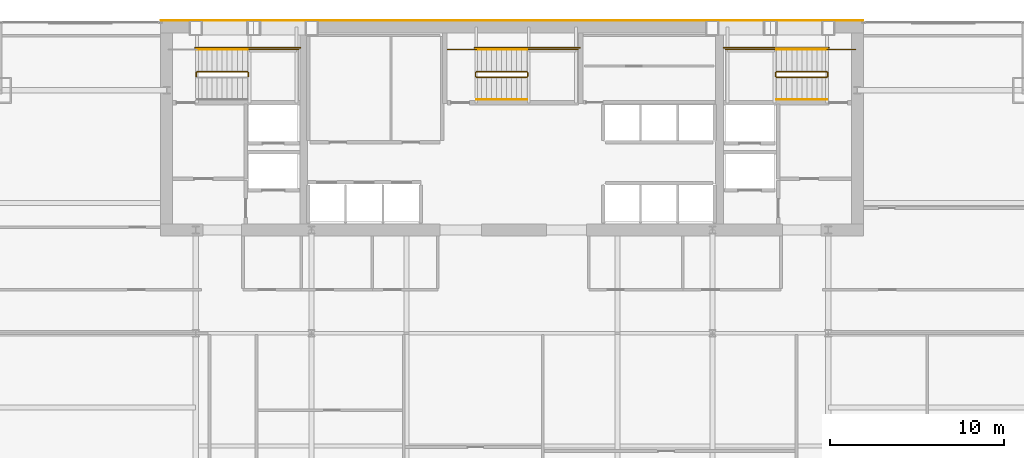
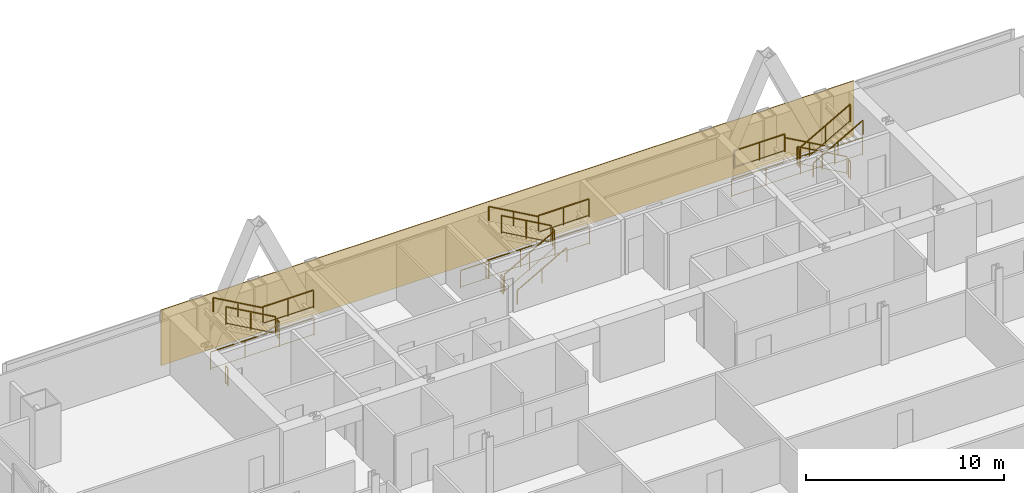
# One storey, part 31 of 31: 24 railings, 1 covering.
"""IFC4 building model written with IfcOpenShell, lengths in metres."""

from ifc_helpers import new_model, si_unit, direction, frame, origin, origin_2d, place, context, subcontext, project, spatial, polyline, rectangle, outline, extrude, material, layer, layer_set, type_object, element, save


model = new_model("IFC4")

# Units and contexts
model_context = context("Model", 3, precision=1e-05, world=origin(), true_north=direction((0.0, 1.0)))
body_context = subcontext(model_context, "Body", "Model", "MODEL_VIEW")
ifc_project = project(units=[si_unit("LENGTHUNIT", "METRE"), si_unit("AREAUNIT", "SQUARE_METRE"), si_unit("VOLUMEUNIT", "CUBIC_METRE"), si_unit("PLANEANGLEUNIT", "RADIAN"), si_unit("MASSUNIT", "GRAM", prefix="KILO")], contexts=[model_context])

# Site, building, storey
site_placement = place(None, origin())
site = spatial("IfcSite", under=ifc_project, at=site_placement, CompositionType="ELEMENT")
building_placement = place(site_placement, origin())
building = spatial("IfcBuilding", under=site, at=building_placement, Name="Khoronbel Lancet Exchange", CompositionType="ELEMENT")
storey_placement = place(building_placement, frame((0.0, 0.0, 129.0)))
storey = spatial("IfcBuildingStorey", under=building, at=storey_placement, Name="L31", CompositionType="ELEMENT", Elevation=129.0)

# Covering
ifc_material_1 = material(Name="Honed Egyptian Limestone & Bronze Rainscreen", Category="masonry")
ifc_layer = layer(ifc_material_1, 0.050048828125, Name="Honed Egyptian Limestone & Bronze Rainscreen")
ifc_layer_set = layer_set([ifc_layer], Name="Honed Egyptian Limestone & Bronze Rainscreen")
covering_type = type_object("IfcCoveringType", Name="COV-CLAD1", PredefinedType="CLADDING", material=ifc_layer_set)
covering_placement = place(storey_placement, origin())
element("IfcCovering", 1, at=covering_placement, inside=storey, type_object=covering_type, Name="Level L31 north rear-core stone and bronze rainscreen cladding", PredefinedType="CLADDING", context=body_context, shape_type="SweptSolid", body=[
    extrude(outline(polyline([(16.199951171875, 53.699951171875), (56.699951171875, 53.699951171875), (56.699951171875, 53.75), (16.199951171875, 53.75), (16.199951171875, 53.699951171875)])), origin(), (0.0, 0.0, 1.0), 3.43994140625),
])

# Railings
ifc_material_2 = material(Name="Painted Steel Balustrade", Category="steel")
railing_type_1 = type_object("IfcRailingType", Name="RL-STG110", PredefinedType="GUARDRAIL", material=ifc_material_2)
railing_1_placement = place(storey_placement, frame((21.25, 50.5, 1.800048828125)))
element("IfcRailing", 2, at=railing_1_placement, inside=storey, type_object=railing_type_1, Name="L31 ST1 stair guard 2", PredefinedType="GUARDRAIL", context=body_context, shape_type="SweptSolid", body=[
    extrude(rectangle(XDim=0.048095703125, YDim=0.048095703125, at=origin_2d()), frame((0.0, 0.0, 1.09619140625), z_axis=(0.0, 1.0, 0.0), x_axis=(-1.0, 0.0, 0.0)), (0.0, 0.0, 1.0), 0.219970703125),
    extrude(rectangle(XDim=0.02392578125, YDim=0.02392578125, at=origin_2d()), frame((0.0, 0.0, 0.080078125), z_axis=(0.0, 1.0, 0.0), x_axis=(-1.0, 0.0, 0.0)), (0.0, 0.0, 1.0), 0.219970703125),
    extrude(rectangle(XDim=0.0419921875, YDim=0.0419921875, at=origin_2d()), origin(), (0.0, 0.0, 1.0), 1.072021484375),
    extrude(rectangle(XDim=0.0419921875, YDim=0.0419921875, at=origin_2d()), frame((0.0, 0.219970703125, 0.0)), (0.0, 0.0, 1.0), 1.072021484375),
])
railing_2_placement = place(storey_placement, frame((21.199951171875, 52.050048828125, 1.800048828125)))
element("IfcRailing", 3, at=railing_2_placement, inside=storey, type_object=railing_type_1, Name="L31 ST1 stair guard 3", PredefinedType="GUARDRAIL", context=body_context, shape_type="SweptSolid", body=[
    extrude(rectangle(XDim=0.048095703125, YDim=0.048095703125, at=origin_2d()), frame((0.0, 0.0, 1.09619140625), z_axis=(1.0, 0.0, 0.0), x_axis=(0.0, 1.0, 0.0)), (0.0, 0.0, 1.0), 2.949951171875),
    extrude(rectangle(XDim=0.02392578125, YDim=0.02392578125, at=origin_2d()), frame((0.0, 0.0, 0.080078125), z_axis=(1.0, 0.0, 0.0), x_axis=(0.0, 1.0, 0.0)), (0.0, 0.0, 1.0), 2.949951171875),
    extrude(rectangle(XDim=0.0419921875, YDim=0.0419921875, at=origin_2d()), origin(), (0.0, 0.0, 1.0), 1.072021484375),
    extrude(rectangle(XDim=0.0419921875, YDim=0.0419921875, at=origin_2d()), frame((1.47509765625, 0.0, 0.0)), (0.0, 0.0, 1.0), 1.072021484375),
    extrude(rectangle(XDim=0.0419921875, YDim=0.0419921875, at=origin_2d()), frame((2.949951171875, 0.0, 0.0)), (0.0, 0.0, 1.0), 1.072021484375),
])
railing_3_placement = place(storey_placement, frame((21.199951171875, 50.77001953125, 1.963623046875)))
element("IfcRailing", 4, at=railing_3_placement, inside=storey, type_object=railing_type_1, Name="L31 ST1 stair guard 4", PredefinedType="GUARDRAIL", context=body_context, shape_type="SweptSolid", body=[
    extrude(rectangle(XDim=0.048095703125, YDim=0.048095703125, at=origin_2d()), frame((0.0, 0.0, 1.09619140625), z_axis=(-0.870897200241, 0.0, 0.491465224214), x_axis=(0.0, -1.0, 0.0)), (0.0, 0.0, 1.0), 3.329833984375),
    extrude(rectangle(XDim=0.02392578125, YDim=0.02392578125, at=origin_2d()), frame((0.0, 0.0, 0.080078125), z_axis=(-0.870897200241, 0.0, 0.491465224214), x_axis=(0.0, -1.0, 0.0)), (0.0, 0.0, 1.0), 3.329833984375),
    extrude(rectangle(XDim=0.0419921875, YDim=0.0419921875, at=origin_2d()), origin(), (0.0, 0.0, 1.0), 1.072021484375),
    extrude(rectangle(XDim=0.0419921875, YDim=0.0419921875, at=origin_2d()), frame((-1.449951171875, 0.0, 0.818359375)), (0.0, 0.0, 1.0), 1.072021484375),
    extrude(rectangle(XDim=0.0419921875, YDim=0.0419921875, at=origin_2d()), frame((-2.89990234375, 0.0, 1.636474609375)), (0.0, 0.0, 1.0), 1.072021484375),
])
railing_4_placement = place(storey_placement, frame((18.25, 50.5, 0.0)))
element("IfcRailing", 5, at=railing_4_placement, inside=storey, type_object=railing_type_1, Name="L31 ST1 stair guard 5", PredefinedType="GUARDRAIL", context=body_context, shape_type="SweptSolid", body=[
    extrude(rectangle(XDim=0.048095703125, YDim=0.048095703125, at=origin_2d()), frame((0.0, 0.0, 1.09619140625), z_axis=(0.0, 1.0, 0.0), x_axis=(-1.0, 0.0, 0.0)), (0.0, 0.0, 1.0), 0.219970703125),
    extrude(rectangle(XDim=0.02392578125, YDim=0.02392578125, at=origin_2d()), frame((0.0, 0.0, 0.080078125), z_axis=(0.0, 1.0, 0.0), x_axis=(-1.0, 0.0, 0.0)), (0.0, 0.0, 1.0), 0.219970703125),
    extrude(rectangle(XDim=0.0419921875, YDim=0.0419921875, at=origin_2d()), origin(), (0.0, 0.0, 1.0), 1.072021484375),
    extrude(rectangle(XDim=0.0419921875, YDim=0.0419921875, at=origin_2d()), frame((0.0, 0.219970703125, 0.0)), (0.0, 0.0, 1.0), 1.072021484375),
])
railing_5_placement = place(storey_placement, frame((18.199951171875, 52.14990234375, 0.0)))
element("IfcRailing", 6, at=railing_5_placement, inside=storey, type_object=railing_type_1, Name="L31 ST1 stair guard 7", PredefinedType="GUARDRAIL", context=body_context, shape_type="SweptSolid", body=[
    extrude(rectangle(XDim=0.048095703125, YDim=0.048095703125, at=origin_2d()), frame((0.0, 0.0, 1.09619140625), z_axis=(1.0, 0.0, 0.0), x_axis=(0.0, 1.0, 0.0)), (0.0, 0.0, 1.0), 6.050048828125),
    extrude(rectangle(XDim=0.02392578125, YDim=0.02392578125, at=origin_2d()), frame((0.0, 0.0, 0.080078125), z_axis=(1.0, 0.0, 0.0), x_axis=(0.0, 1.0, 0.0)), (0.0, 0.0, 1.0), 6.050048828125),
    extrude(rectangle(XDim=0.0419921875, YDim=0.0419921875, at=origin_2d()), origin(), (0.0, 0.0, 1.0), 1.072021484375),
    extrude(rectangle(XDim=0.0419921875, YDim=0.0419921875, at=origin_2d()), frame((2.0166015625, 0.0, 0.0)), (0.0, 0.0, 1.0), 1.072021484375),
    extrude(rectangle(XDim=0.0419921875, YDim=0.0419921875, at=origin_2d()), frame((4.033447265625, 0.0, 0.0)), (0.0, 0.0, 1.0), 1.072021484375),
    extrude(rectangle(XDim=0.0419921875, YDim=0.0419921875, at=origin_2d()), frame((6.050048828125, 0.0, 0.0)), (0.0, 0.0, 1.0), 1.072021484375),
])
railing_6_placement = place(storey_placement, frame((54.60009765625, 50.77001953125, 0.16357421875)))
element("IfcRailing", 7, at=railing_6_placement, inside=storey, type_object=railing_type_1, Name="L31 ST2 stair guard 1", PredefinedType="GUARDRAIL", context=body_context, shape_type="SweptSolid", body=[
    extrude(rectangle(XDim=0.048095703125, YDim=0.048095703125, at=origin_2d()), frame((0.0, 0.0, 1.09619140625), z_axis=(-0.870914908162, 0.0, 0.491433843708), x_axis=(0.0, -1.0, 0.0)), (0.0, 0.0, 1.0), 3.330078125),
    extrude(rectangle(XDim=0.02392578125, YDim=0.02392578125, at=origin_2d()), frame((0.0, 0.0, 0.080078125), z_axis=(-0.870914908162, 0.0, 0.491433843708), x_axis=(0.0, -1.0, 0.0)), (0.0, 0.0, 1.0), 3.330078125),
    extrude(rectangle(XDim=0.0419921875, YDim=0.0419921875, at=origin_2d()), origin(), (0.0, 0.0, 1.0), 1.072021484375),
    extrude(rectangle(XDim=0.0419921875, YDim=0.0419921875, at=origin_2d()), frame((-1.4501953125, 0.0, 0.818359375)), (0.0, 0.0, 1.0), 1.072021484375),
    extrude(rectangle(XDim=0.0419921875, YDim=0.0419921875, at=origin_2d()), frame((-2.900146484375, 0.0, 1.636474609375)), (0.0, 0.0, 1.0), 1.072021484375),
])
railing_7_placement = place(storey_placement, frame((51.64990234375, 50.719970703125, 1.800048828125)))
element("IfcRailing", 8, at=railing_7_placement, inside=storey, type_object=railing_type_1, Name="L31 ST2 stair guard 2", PredefinedType="GUARDRAIL", context=body_context, shape_type="SweptSolid", body=[
    extrude(rectangle(XDim=0.048095703125, YDim=0.048095703125, at=origin_2d()), frame((0.0, 0.0, 1.09619140625), z_axis=(0.0, -1.0, 0.0), x_axis=(1.0, 0.0, 0.0)), (0.0, 0.0, 1.0), 0.219970703125),
    extrude(rectangle(XDim=0.02392578125, YDim=0.02392578125, at=origin_2d()), frame((0.0, 0.0, 0.080078125), z_axis=(0.0, -1.0, 0.0), x_axis=(1.0, 0.0, 0.0)), (0.0, 0.0, 1.0), 0.219970703125),
    extrude(rectangle(XDim=0.0419921875, YDim=0.0419921875, at=origin_2d()), origin(), (0.0, 0.0, 1.0), 1.072021484375),
    extrude(rectangle(XDim=0.0419921875, YDim=0.0419921875, at=origin_2d()), frame((0.0, -0.219970703125, 0.0)), (0.0, 0.0, 1.0), 1.072021484375),
])
railing_8_placement = place(storey_placement, frame((51.699951171875, 52.050048828125, 1.800048828125)))
element("IfcRailing", 9, at=railing_8_placement, inside=storey, type_object=railing_type_1, Name="L31 ST2 stair guard 3", PredefinedType="GUARDRAIL", context=body_context, shape_type="SweptSolid", body=[
    extrude(rectangle(XDim=0.048095703125, YDim=0.048095703125, at=origin_2d()), frame((0.0, 0.0, 1.09619140625), z_axis=(-1.0, 0.0, 0.0), x_axis=(0.0, -1.0, 0.0)), (0.0, 0.0, 1.0), 2.949951171875),
    extrude(rectangle(XDim=0.02392578125, YDim=0.02392578125, at=origin_2d()), frame((0.0, 0.0, 0.080078125), z_axis=(-1.0, 0.0, 0.0), x_axis=(0.0, -1.0, 0.0)), (0.0, 0.0, 1.0), 2.949951171875),
    extrude(rectangle(XDim=0.0419921875, YDim=0.0419921875, at=origin_2d()), origin(), (0.0, 0.0, 1.0), 1.072021484375),
    extrude(rectangle(XDim=0.0419921875, YDim=0.0419921875, at=origin_2d()), frame((-1.47509765625, 0.0, 0.0)), (0.0, 0.0, 1.0), 1.072021484375),
    extrude(rectangle(XDim=0.0419921875, YDim=0.0419921875, at=origin_2d()), frame((-2.949951171875, 0.0, 0.0)), (0.0, 0.0, 1.0), 1.072021484375),
])
railing_9_placement = place(storey_placement, frame((51.699951171875, 50.449951171875, 1.963623046875)))
element("IfcRailing", 10, at=railing_9_placement, inside=storey, type_object=railing_type_1, Name="L31 ST2 stair guard 4", PredefinedType="GUARDRAIL", context=body_context, shape_type="SweptSolid", body=[
    extrude(rectangle(XDim=0.048095703125, YDim=0.048095703125, at=origin_2d()), frame((0.0, 0.0, 1.09619140625), z_axis=(0.870914908162, 0.0, 0.491433843708), x_axis=(0.0, 1.0, 0.0)), (0.0, 0.0, 1.0), 3.330078125),
    extrude(rectangle(XDim=0.02392578125, YDim=0.02392578125, at=origin_2d()), frame((0.0, 0.0, 0.080078125), z_axis=(0.870914908162, 0.0, 0.491433843708), x_axis=(0.0, 1.0, 0.0)), (0.0, 0.0, 1.0), 3.330078125),
    extrude(rectangle(XDim=0.0419921875, YDim=0.0419921875, at=origin_2d()), origin(), (0.0, 0.0, 1.0), 1.072021484375),
    extrude(rectangle(XDim=0.0419921875, YDim=0.0419921875, at=origin_2d()), frame((1.4501953125, 0.0, 0.818359375)), (0.0, 0.0, 1.0), 1.072021484375),
    extrude(rectangle(XDim=0.0419921875, YDim=0.0419921875, at=origin_2d()), frame((2.900146484375, 0.0, 1.636474609375)), (0.0, 0.0, 1.0), 1.072021484375),
])
railing_10_placement = place(storey_placement, frame((54.64990234375, 50.719970703125, 0.0)))
element("IfcRailing", 11, at=railing_10_placement, inside=storey, type_object=railing_type_1, Name="L31 ST2 stair guard 5", PredefinedType="GUARDRAIL", context=body_context, shape_type="SweptSolid", body=[
    extrude(rectangle(XDim=0.048095703125, YDim=0.048095703125, at=origin_2d()), frame((0.0, 0.0, 1.09619140625), z_axis=(0.0, -1.0, 0.0), x_axis=(1.0, 0.0, 0.0)), (0.0, 0.0, 1.0), 0.219970703125),
    extrude(rectangle(XDim=0.02392578125, YDim=0.02392578125, at=origin_2d()), frame((0.0, 0.0, 0.080078125), z_axis=(0.0, -1.0, 0.0), x_axis=(1.0, 0.0, 0.0)), (0.0, 0.0, 1.0), 0.219970703125),
    extrude(rectangle(XDim=0.0419921875, YDim=0.0419921875, at=origin_2d()), origin(), (0.0, 0.0, 1.0), 1.072021484375),
    extrude(rectangle(XDim=0.0419921875, YDim=0.0419921875, at=origin_2d()), frame((0.0, -0.219970703125, 0.0)), (0.0, 0.0, 1.0), 1.072021484375),
])
railing_11_placement = place(storey_placement, frame((56.25, 52.050048828125, 0.0)))
element("IfcRailing", 12, at=railing_11_placement, inside=storey, type_object=railing_type_1, Name="L31 ST2 stair guard 6", PredefinedType="GUARDRAIL", context=body_context, shape_type="SweptSolid", body=[
    extrude(rectangle(XDim=0.048095703125, YDim=0.048095703125, at=origin_2d()), frame((0.0, 0.0, 1.09619140625), z_axis=(-1.0, 0.0, 0.0), x_axis=(0.0, -1.0, 0.0)), (0.0, 0.0, 1.0), 1.64990234375),
    extrude(rectangle(XDim=0.02392578125, YDim=0.02392578125, at=origin_2d()), frame((0.0, 0.0, 0.080078125), z_axis=(-1.0, 0.0, 0.0), x_axis=(0.0, -1.0, 0.0)), (0.0, 0.0, 1.0), 1.64990234375),
    extrude(rectangle(XDim=0.0419921875, YDim=0.0419921875, at=origin_2d()), origin(), (0.0, 0.0, 1.0), 1.072021484375),
    extrude(rectangle(XDim=0.0419921875, YDim=0.0419921875, at=origin_2d()), frame((-1.64990234375, 0.0, 0.0)), (0.0, 0.0, 1.0), 1.072021484375),
])
railing_12_placement = place(storey_placement, frame((54.699951171875, 52.14990234375, 0.0)))
element("IfcRailing", 13, at=railing_12_placement, inside=storey, type_object=railing_type_1, Name="L31 ST2 stair guard 7", PredefinedType="GUARDRAIL", context=body_context, shape_type="SweptSolid", body=[
    extrude(rectangle(XDim=0.048095703125, YDim=0.048095703125, at=origin_2d()), frame((0.0, 0.0, 1.09619140625), z_axis=(-1.0, 0.0, 0.0), x_axis=(0.0, -1.0, 0.0)), (0.0, 0.0, 1.0), 6.050048828125),
    extrude(rectangle(XDim=0.02392578125, YDim=0.02392578125, at=origin_2d()), frame((0.0, 0.0, 0.080078125), z_axis=(-1.0, 0.0, 0.0), x_axis=(0.0, -1.0, 0.0)), (0.0, 0.0, 1.0), 6.050048828125),
    extrude(rectangle(XDim=0.0419921875, YDim=0.0419921875, at=origin_2d()), origin(), (0.0, 0.0, 1.0), 1.072021484375),
    extrude(rectangle(XDim=0.0419921875, YDim=0.0419921875, at=origin_2d()), frame((-2.0166015625, 0.0, 0.0)), (0.0, 0.0, 1.0), 1.072021484375),
    extrude(rectangle(XDim=0.0419921875, YDim=0.0419921875, at=origin_2d()), frame((-4.033447265625, 0.0, 0.0)), (0.0, 0.0, 1.0), 1.072021484375),
    extrude(rectangle(XDim=0.0419921875, YDim=0.0419921875, at=origin_2d()), frame((-6.050048828125, 0.0, 0.0)), (0.0, 0.0, 1.0), 1.072021484375),
])
railing_13_placement = place(storey_placement, frame((34.39990234375, 50.449951171875, 0.16357421875)))
element("IfcRailing", 14, at=railing_13_placement, inside=storey, type_object=railing_type_1, Name="L31 ST3 stair guard 1", PredefinedType="GUARDRAIL", context=body_context, shape_type="SweptSolid", body=[
    extrude(rectangle(XDim=0.048095703125, YDim=0.048095703125, at=origin_2d()), frame((0.0, 0.0, 1.09619140625), z_axis=(0.870914908162, 0.0, 0.491433843708), x_axis=(0.0, 1.0, 0.0)), (0.0, 0.0, 1.0), 3.330078125),
    extrude(rectangle(XDim=0.02392578125, YDim=0.02392578125, at=origin_2d()), frame((0.0, 0.0, 0.080078125), z_axis=(0.870914908162, 0.0, 0.491433843708), x_axis=(0.0, 1.0, 0.0)), (0.0, 0.0, 1.0), 3.330078125),
    extrude(rectangle(XDim=0.0419921875, YDim=0.0419921875, at=origin_2d()), origin(), (0.0, 0.0, 1.0), 1.072021484375),
    extrude(rectangle(XDim=0.0419921875, YDim=0.0419921875, at=origin_2d()), frame((1.4501953125, 0.0, 0.818359375)), (0.0, 0.0, 1.0), 1.072021484375),
    extrude(rectangle(XDim=0.0419921875, YDim=0.0419921875, at=origin_2d()), frame((2.900146484375, 0.0, 1.636474609375)), (0.0, 0.0, 1.0), 1.072021484375),
])
railing_14_placement = place(storey_placement, frame((37.35009765625, 50.5, 1.800048828125)))
element("IfcRailing", 15, at=railing_14_placement, inside=storey, type_object=railing_type_1, Name="L31 ST3 stair guard 2", PredefinedType="GUARDRAIL", context=body_context, shape_type="SweptSolid", body=[
    extrude(rectangle(XDim=0.048095703125, YDim=0.048095703125, at=origin_2d()), frame((0.0, 0.0, 1.09619140625), z_axis=(0.0, 1.0, 0.0), x_axis=(-1.0, 0.0, 0.0)), (0.0, 0.0, 1.0), 0.219970703125),
    extrude(rectangle(XDim=0.02392578125, YDim=0.02392578125, at=origin_2d()), frame((0.0, 0.0, 0.080078125), z_axis=(0.0, 1.0, 0.0), x_axis=(-1.0, 0.0, 0.0)), (0.0, 0.0, 1.0), 0.219970703125),
    extrude(rectangle(XDim=0.0419921875, YDim=0.0419921875, at=origin_2d()), origin(), (0.0, 0.0, 1.0), 1.072021484375),
    extrude(rectangle(XDim=0.0419921875, YDim=0.0419921875, at=origin_2d()), frame((0.0, 0.219970703125, 0.0)), (0.0, 0.0, 1.0), 1.072021484375),
])
railing_15_placement = place(storey_placement, frame((37.300048828125, 52.050048828125, 1.800048828125)))
element("IfcRailing", 16, at=railing_15_placement, inside=storey, type_object=railing_type_1, Name="L31 ST3 stair guard 3", PredefinedType="GUARDRAIL", context=body_context, shape_type="SweptSolid", body=[
    extrude(rectangle(XDim=0.048095703125, YDim=0.048095703125, at=origin_2d()), frame((0.0, 0.0, 1.09619140625), z_axis=(1.0, 0.0, 0.0), x_axis=(0.0, 1.0, 0.0)), (0.0, 0.0, 1.0), 2.949951171875),
    extrude(rectangle(XDim=0.02392578125, YDim=0.02392578125, at=origin_2d()), frame((0.0, 0.0, 0.080078125), z_axis=(1.0, 0.0, 0.0), x_axis=(0.0, 1.0, 0.0)), (0.0, 0.0, 1.0), 2.949951171875),
    extrude(rectangle(XDim=0.0419921875, YDim=0.0419921875, at=origin_2d()), origin(), (0.0, 0.0, 1.0), 1.072021484375),
    extrude(rectangle(XDim=0.0419921875, YDim=0.0419921875, at=origin_2d()), frame((1.47509765625, 0.0, 0.0)), (0.0, 0.0, 1.0), 1.072021484375),
    extrude(rectangle(XDim=0.0419921875, YDim=0.0419921875, at=origin_2d()), frame((2.949951171875, 0.0, 0.0)), (0.0, 0.0, 1.0), 1.072021484375),
])
railing_16_placement = place(storey_placement, frame((37.300048828125, 50.77001953125, 1.963623046875)))
element("IfcRailing", 17, at=railing_16_placement, inside=storey, type_object=railing_type_1, Name="L31 ST3 stair guard 4", PredefinedType="GUARDRAIL", context=body_context, shape_type="SweptSolid", body=[
    extrude(rectangle(XDim=0.048095703125, YDim=0.048095703125, at=origin_2d()), frame((0.0, 0.0, 1.09619140625), z_axis=(-0.870914908162, 0.0, 0.491433843708), x_axis=(0.0, -1.0, 0.0)), (0.0, 0.0, 1.0), 3.330078125),
    extrude(rectangle(XDim=0.02392578125, YDim=0.02392578125, at=origin_2d()), frame((0.0, 0.0, 0.080078125), z_axis=(-0.870914908162, 0.0, 0.491433843708), x_axis=(0.0, -1.0, 0.0)), (0.0, 0.0, 1.0), 3.330078125),
    extrude(rectangle(XDim=0.0419921875, YDim=0.0419921875, at=origin_2d()), origin(), (0.0, 0.0, 1.0), 1.072021484375),
    extrude(rectangle(XDim=0.0419921875, YDim=0.0419921875, at=origin_2d()), frame((-1.4501953125, 0.0, 0.818359375)), (0.0, 0.0, 1.0), 1.072021484375),
    extrude(rectangle(XDim=0.0419921875, YDim=0.0419921875, at=origin_2d()), frame((-2.900146484375, 0.0, 1.636474609375)), (0.0, 0.0, 1.0), 1.072021484375),
])
railing_17_placement = place(storey_placement, frame((34.35009765625, 50.5, 0.0)))
element("IfcRailing", 18, at=railing_17_placement, inside=storey, type_object=railing_type_1, Name="L31 ST3 stair guard 5", PredefinedType="GUARDRAIL", context=body_context, shape_type="SweptSolid", body=[
    extrude(rectangle(XDim=0.048095703125, YDim=0.048095703125, at=origin_2d()), frame((0.0, 0.0, 1.09619140625), z_axis=(0.0, 1.0, 0.0), x_axis=(-1.0, 0.0, 0.0)), (0.0, 0.0, 1.0), 0.219970703125),
    extrude(rectangle(XDim=0.02392578125, YDim=0.02392578125, at=origin_2d()), frame((0.0, 0.0, 0.080078125), z_axis=(0.0, 1.0, 0.0), x_axis=(-1.0, 0.0, 0.0)), (0.0, 0.0, 1.0), 0.219970703125),
    extrude(rectangle(XDim=0.0419921875, YDim=0.0419921875, at=origin_2d()), origin(), (0.0, 0.0, 1.0), 1.072021484375),
    extrude(rectangle(XDim=0.0419921875, YDim=0.0419921875, at=origin_2d()), frame((0.0, 0.219970703125, 0.0)), (0.0, 0.0, 1.0), 1.072021484375),
])
railing_18_placement = place(storey_placement, frame((32.75, 52.050048828125, 0.0)))
element("IfcRailing", 19, at=railing_18_placement, inside=storey, type_object=railing_type_1, Name="L31 ST3 stair guard 6", PredefinedType="GUARDRAIL", context=body_context, shape_type="SweptSolid", body=[
    extrude(rectangle(XDim=0.048095703125, YDim=0.048095703125, at=origin_2d()), frame((0.0, 0.0, 1.09619140625), z_axis=(1.0, 0.0, 0.0), x_axis=(0.0, 1.0, 0.0)), (0.0, 0.0, 1.0), 1.64990234375),
    extrude(rectangle(XDim=0.02392578125, YDim=0.02392578125, at=origin_2d()), frame((0.0, 0.0, 0.080078125), z_axis=(1.0, 0.0, 0.0), x_axis=(0.0, 1.0, 0.0)), (0.0, 0.0, 1.0), 1.64990234375),
    extrude(rectangle(XDim=0.0419921875, YDim=0.0419921875, at=origin_2d()), origin(), (0.0, 0.0, 1.0), 1.072021484375),
    extrude(rectangle(XDim=0.0419921875, YDim=0.0419921875, at=origin_2d()), frame((1.64990234375, 0.0, 0.0)), (0.0, 0.0, 1.0), 1.072021484375),
])
railing_19_placement = place(storey_placement, frame((34.300048828125, 52.14990234375, 0.0)))
element("IfcRailing", 20, at=railing_19_placement, inside=storey, type_object=railing_type_1, Name="L31 ST3 stair guard 7", PredefinedType="GUARDRAIL", context=body_context, shape_type="SweptSolid", body=[
    extrude(rectangle(XDim=0.048095703125, YDim=0.048095703125, at=origin_2d()), frame((0.0, 0.0, 1.09619140625), z_axis=(1.0, 0.0, 0.0), x_axis=(0.0, 1.0, 0.0)), (0.0, 0.0, 1.0), 6.050048828125),
    extrude(rectangle(XDim=0.02392578125, YDim=0.02392578125, at=origin_2d()), frame((0.0, 0.0, 0.080078125), z_axis=(1.0, 0.0, 0.0), x_axis=(0.0, 1.0, 0.0)), (0.0, 0.0, 1.0), 6.050048828125),
    extrude(rectangle(XDim=0.0419921875, YDim=0.0419921875, at=origin_2d()), origin(), (0.0, 0.0, 1.0), 1.072021484375),
    extrude(rectangle(XDim=0.0419921875, YDim=0.0419921875, at=origin_2d()), frame((2.0166015625, 0.0, 0.0)), (0.0, 0.0, 1.0), 1.072021484375),
    extrude(rectangle(XDim=0.0419921875, YDim=0.0419921875, at=origin_2d()), frame((4.033447265625, 0.0, 0.0)), (0.0, 0.0, 1.0), 1.072021484375),
    extrude(rectangle(XDim=0.0419921875, YDim=0.0419921875, at=origin_2d()), frame((6.050048828125, 0.0, 0.0)), (0.0, 0.0, 1.0), 1.072021484375),
])
ifc_material_3 = material(Name="Brushed Stainless Steel 316", Category="steel")
railing_type_2 = type_object("IfcRailingType", Name="RL-STH92", PredefinedType="HANDRAIL", material=ifc_material_3)
railing_20_placement = place(storey_placement, frame((21.199951171875, 52.050048828125, 1.963623046875)))
element("IfcRailing", 21, at=railing_20_placement, inside=storey, type_object=railing_type_2, Name="L31 ST1 stair handrail 2", PredefinedType="HANDRAIL", context=body_context, shape_type="SweptSolid", body=[
    extrude(rectangle(XDim=0.048095703125, YDim=0.048095703125, at=origin_2d()), frame((0.0, 0.0, 0.8759765625), z_axis=(-0.870897200241, 0.0, 0.491465224214), x_axis=(0.0, -1.0, 0.0)), (0.0, 0.0, 1.0), 3.329833984375),
    extrude(rectangle(XDim=0.0419921875, YDim=0.0419921875, at=origin_2d()), origin(), (0.0, 0.0, 1.0), 0.851806640625),
    extrude(rectangle(XDim=0.0419921875, YDim=0.0419921875, at=origin_2d()), frame((-1.449951171875, 0.0, 0.818359375)), (0.0, 0.0, 1.0), 0.851806640625),
    extrude(rectangle(XDim=0.0419921875, YDim=0.0419921875, at=origin_2d()), frame((-2.89990234375, 0.0, 1.636474609375)), (0.0, 0.0, 1.0), 0.851806640625),
])
railing_21_placement = place(storey_placement, frame((54.60009765625, 52.050048828125, 0.16357421875)))
element("IfcRailing", 22, at=railing_21_placement, inside=storey, type_object=railing_type_2, Name="L31 ST2 stair handrail 1", PredefinedType="HANDRAIL", context=body_context, shape_type="SweptSolid", body=[
    extrude(rectangle(XDim=0.048095703125, YDim=0.048095703125, at=origin_2d()), frame((0.0, 0.0, 0.8759765625), z_axis=(-0.870914908162, 0.0, 0.491433843708), x_axis=(0.0, -1.0, 0.0)), (0.0, 0.0, 1.0), 3.330078125),
    extrude(rectangle(XDim=0.0419921875, YDim=0.0419921875, at=origin_2d()), origin(), (0.0, 0.0, 1.0), 0.851806640625),
    extrude(rectangle(XDim=0.0419921875, YDim=0.0419921875, at=origin_2d()), frame((-1.4501953125, 0.0, 0.818359375)), (0.0, 0.0, 1.0), 0.851806640625),
    extrude(rectangle(XDim=0.0419921875, YDim=0.0419921875, at=origin_2d()), frame((-2.900146484375, 0.0, 1.636474609375)), (0.0, 0.0, 1.0), 0.851806640625),
])
for number, where, name in (
    (23, (51.699951171875, 49.169921875, 1.963623046875), "L31 ST2 stair handrail 2"),
    (24, (34.39990234375, 49.169921875, 0.16357421875), "L31 ST3 stair handrail 1"),
):
    element("IfcRailing", number, at=place(storey_placement, frame(where)), inside=storey, type_object=railing_type_2, Name=name, PredefinedType="HANDRAIL", context=body_context, shape_type="SweptSolid", body=[
        extrude(rectangle(XDim=0.048095703125, YDim=0.048095703125, at=origin_2d()), frame((0.0, 0.0, 0.8759765625), z_axis=(0.870914908162, 0.0, 0.491433843708), x_axis=(0.0, 1.0, 0.0)), (0.0, 0.0, 1.0), 3.330078125),
        extrude(rectangle(XDim=0.0419921875, YDim=0.0419921875, at=origin_2d()), origin(), (0.0, 0.0, 1.0), 0.851806640625),
        extrude(rectangle(XDim=0.0419921875, YDim=0.0419921875, at=origin_2d()), frame((1.4501953125, 0.0, 0.818359375)), (0.0, 0.0, 1.0), 0.851806640625),
        extrude(rectangle(XDim=0.0419921875, YDim=0.0419921875, at=origin_2d()), frame((2.900146484375, 0.0, 1.636474609375)), (0.0, 0.0, 1.0), 0.851806640625),
    ])
railing_22_placement = place(storey_placement, frame((37.300048828125, 52.050048828125, 1.963623046875)))
element("IfcRailing", 25, at=railing_22_placement, inside=storey, type_object=railing_type_2, Name="L31 ST3 stair handrail 2", PredefinedType="HANDRAIL", context=body_context, shape_type="SweptSolid", body=[
    extrude(rectangle(XDim=0.048095703125, YDim=0.048095703125, at=origin_2d()), frame((0.0, 0.0, 0.8759765625), z_axis=(-0.870914908162, 0.0, 0.491433843708), x_axis=(0.0, -1.0, 0.0)), (0.0, 0.0, 1.0), 3.330078125),
    extrude(rectangle(XDim=0.0419921875, YDim=0.0419921875, at=origin_2d()), origin(), (0.0, 0.0, 1.0), 0.851806640625),
    extrude(rectangle(XDim=0.0419921875, YDim=0.0419921875, at=origin_2d()), frame((-1.4501953125, 0.0, 0.818359375)), (0.0, 0.0, 1.0), 0.851806640625),
    extrude(rectangle(XDim=0.0419921875, YDim=0.0419921875, at=origin_2d()), frame((-2.900146484375, 0.0, 1.636474609375)), (0.0, 0.0, 1.0), 0.851806640625),
])

save(model, "model.ifc")
